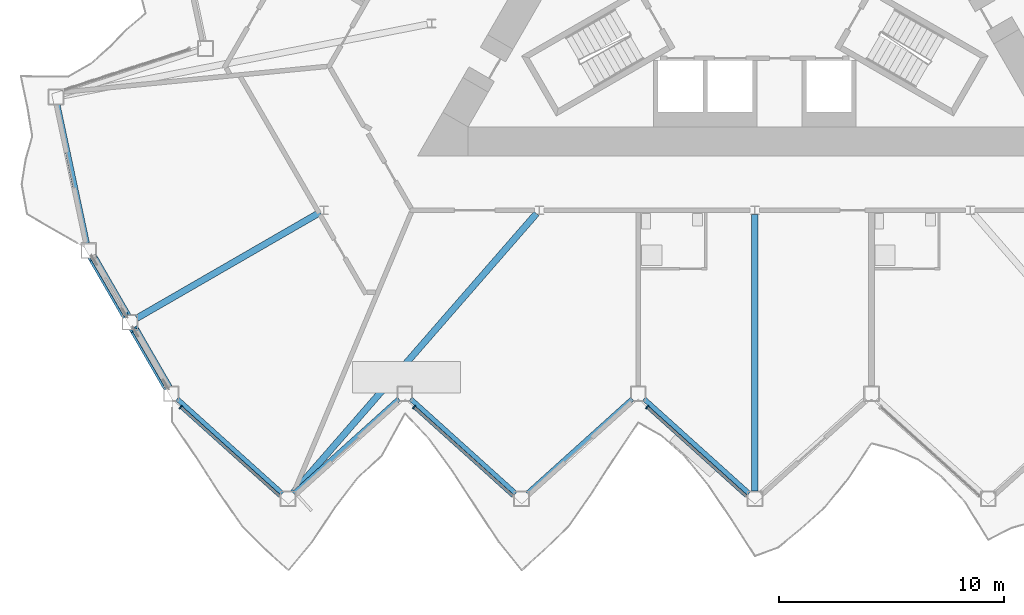
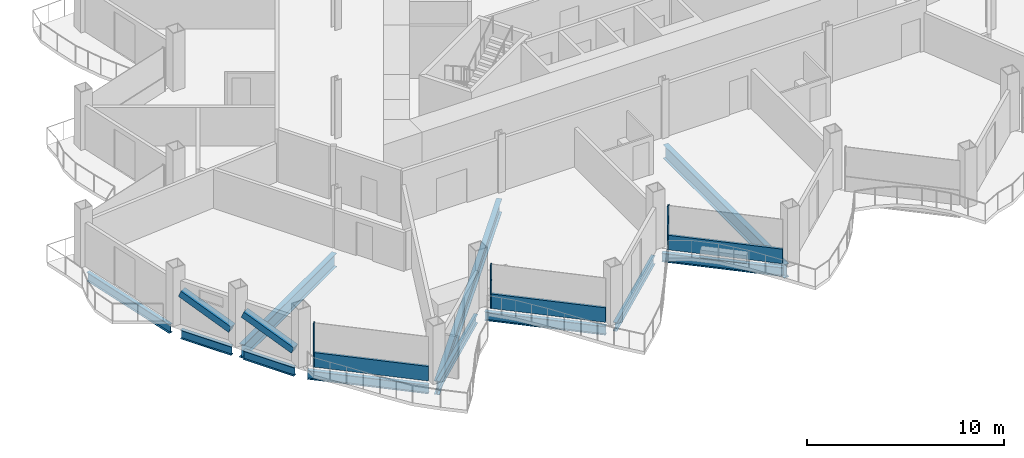
# One storey, part 4 of 23: 11 beams, 8 members, 3 elements without a shape of their own.
"""IFC4 building model written with IfcOpenShell, lengths in metres."""

from ifc_helpers import new_model, si_unit, direction, frame, origin, origin_2d, place, context, subcontext, project, spatial, rectangle, hollow_rectangle, i_section, extrude, material, layer, layer_set, material_profile, profile_set, type_object, element, aggregate, save


model = new_model("IFC4")

# Units and contexts
model_context = context("Model", 3, precision=1e-05, world=origin(), true_north=direction((0.0, 1.0)))
body_context = subcontext(model_context, "Body", "Model", "MODEL_VIEW")
ifc_project = project(units=[si_unit("LENGTHUNIT", "METRE"), si_unit("AREAUNIT", "SQUARE_METRE"), si_unit("VOLUMEUNIT", "CUBIC_METRE"), si_unit("PLANEANGLEUNIT", "RADIAN"), si_unit("MASSUNIT", "GRAM", prefix="KILO")], contexts=[model_context])

# Site, building, storey
site_placement = place(None, origin())
site = spatial("IfcSite", under=ifc_project, at=site_placement, CompositionType="ELEMENT")
building_placement = place(site_placement, origin())
building = spatial("IfcBuilding", under=site, at=building_placement, Name="Cormorant Prow Tower", CompositionType="ELEMENT")
storey_placement = place(building_placement, frame((0.0, 0.0, 267.0)))
storey = spatial("IfcBuildingStorey", under=building, at=storey_placement, Name="L60", CompositionType="ELEMENT", Elevation=267.0)

# Members
ifc_material_1 = material(Name="Structural steel ASTM A500 Gr C", Category="steel")
ifc_material_profile_1 = material_profile(ifc_material_1, hollow_rectangle(XDim=0.406494140625, YDim=0.406494140625, WallThickness=0.01171875, at=origin_2d()), Name="HSS16x16x1/2")
ifc_profile_set_1 = profile_set([ifc_material_profile_1], Name="Structural steel ASTM A500 Gr C")
member_type_1 = type_object("IfcMemberType", Name="Chamfer brace HSS16x16x1/2", PredefinedType="BRACE", material=ifc_profile_set_1)
for number, where, z_axis, x_axis, name in (
    (1, (-27.959228515625, -15.719970703125, 0.74951171875), (-0.462773096913, 0.801606962687, 0.378506721399), (-0.866041729639, -0.499971721724, 0.0), "Chamfer brace BR2 at WSW00 L60"),
    (2, (-26.1240234375, -18.898681640625, 0.74951171875), (-0.462773096913, 0.801606962687, 0.378506721399), (-0.866041729639, -0.499971721724, 0.0), "Chamfer brace BR2 at WSW01 L60"),
):
    element("IfcMember", number, at=place(storey_placement, frame(where, z_axis=z_axis, x_axis=x_axis)), inside=storey, type_object=member_type_1, Name=name, PredefinedType="BRACE", context=body_context, shape_type="SweptSolid", body=[
        extrude(hollow_rectangle(XDim=0.406494140625, YDim=0.406494140625, WallThickness=0.01171875, at=origin_2d()), origin(), (0.0, 0.0, 1.0), 3.17529296875),
    ])

# Curtain wall, member
ifc_material_2 = material(Name="Aluminium 6063-T6", Category="aluminium")
ifc_layer = layer(ifc_material_2, 0.179931640625)
ifc_layer_set = layer_set([ifc_layer], Name="Aluminium 6063-T6")
curtain_wall_type = type_object("IfcCurtainWallType", Name="Hotel unitised curtain wall 180", PredefinedType="NOTDEFINED", material=ifc_layer_set)
curtain_wall_1_placement = place(storey_placement, origin())
curtain_wall_1 = element("IfcCurtainWall", 3, at=curtain_wall_1_placement, inside=storey, type_object=curtain_wall_type, Name="Hotel curtain wall S00", PredefinedType="NOTDEFINED")
ifc_material_3 = material(Name="Aluminium 6063-T6", Category="aluminium")
ifc_material_profile_2 = material_profile(ifc_material_3, rectangle(XDim=0.179931640625, YDim=0.06005859375, at=origin_2d()), Name="Hotel mullion 60x180")
ifc_profile_set_2 = profile_set([ifc_material_profile_2], Name="Aluminium 6063-T6")
member_type_2 = type_object("IfcMemberType", Name="Hotel mullion 60x180", PredefinedType="MULLION", material=ifc_profile_set_2)
member_1_placement = place(storey_placement, frame((-25.518798828125, -19.8115234375, 0.0), z_axis=(0.0, 0.0, 1.0), x_axis=(0.669130572247, 0.743144856192, 0.0)))
member_1 = element("IfcMember", 4, at=member_1_placement, type_object=member_type_2, Name="Hotel mullion S00", PredefinedType="MULLION", context=body_context, shape_type="SweptSolid", body=[
    extrude(rectangle(XDim=0.179931640625, YDim=0.06005859375, at=origin_2d()), origin(), (0.0, 0.0, 1.0), 2.700927734375),
])

curtain_wall_2_placement = place(storey_placement, origin())
curtain_wall_2 = element("IfcCurtainWall", 5, at=curtain_wall_2_placement, inside=storey, type_object=curtain_wall_type, Name="Hotel curtain wall S02", PredefinedType="NOTDEFINED")
member_2_placement = place(storey_placement, frame((-15.1533203125, -19.8115234375, 0.0), z_axis=(0.0, 0.0, 1.0), x_axis=(0.669130500949, 0.743144920389, 0.0)))
member_2 = element("IfcMember", 6, at=member_2_placement, type_object=member_type_2, Name="Hotel mullion S02", PredefinedType="MULLION", context=body_context, shape_type="SweptSolid", body=[
    extrude(rectangle(XDim=0.179931640625, YDim=0.06005859375, at=origin_2d()), origin(), (0.0, 0.0, 1.0), 2.700927734375),
])

curtain_wall_3_placement = place(storey_placement, origin())
curtain_wall_3 = element("IfcCurtainWall", 7, at=curtain_wall_3_placement, inside=storey, type_object=curtain_wall_type, Name="Hotel curtain wall S04", PredefinedType="NOTDEFINED")
member_3_placement = place(storey_placement, frame((-4.7880859375, -19.8115234375, 0.0), z_axis=(0.0, 0.0, 1.0), x_axis=(0.669130572247, 0.743144856192, 0.0)))
member_3 = element("IfcMember", 8, at=member_3_placement, type_object=member_type_2, Name="Hotel mullion S04", PredefinedType="MULLION", context=body_context, shape_type="SweptSolid", body=[
    extrude(rectangle(XDim=0.179931640625, YDim=0.06005859375, at=origin_2d()), origin(), (0.0, 0.0, 1.0), 2.700927734375),
])

# Member
ifc_material_4 = material(Name="Terracotta", Category="masonry")
ifc_material_profile_3 = material_profile(ifc_material_4, rectangle(XDim=0.139892578125, YDim=0.89990234375, at=origin_2d()), Name="Hotel terracotta spandrel rail 140x900")
ifc_profile_set_3 = profile_set([ifc_material_profile_3], Name="Terracotta")
member_type_3 = type_object("IfcMemberType", Name="Hotel terracotta spandrel rail 140x900", PredefinedType="USERDEFINED", material=ifc_profile_set_3)
member_4_placement = place(storey_placement, frame((-25.49658203125, -19.831787109375, 0.449951171875), z_axis=(0.743158607872, -0.669115299142, 0.0), x_axis=(0.669115299142, 0.743158607872, 0.0)))
member_4 = element("IfcMember", 9, at=member_4_placement, type_object=member_type_3, Name="Hotel spandrel rail S00", ObjectType="TRANSOM", PredefinedType="USERDEFINED", context=body_context, shape_type="SweptSolid", body=[
    extrude(rectangle(XDim=0.139892578125, YDim=0.89990234375, at=origin_2d()), origin(), (0.0, 0.0, 1.0), 5.912109375),
])

aggregate(curtain_wall_1, [member_1, member_4])

member_5_placement = place(storey_placement, frame((-15.131103515625, -19.831787109375, 0.449951171875), z_axis=(0.743158607872, -0.669115299142, 0.0), x_axis=(0.669115299142, 0.743158607872, 0.0)))
member_5 = element("IfcMember", 10, at=member_5_placement, type_object=member_type_3, Name="Hotel spandrel rail S02", ObjectType="TRANSOM", PredefinedType="USERDEFINED", context=body_context, shape_type="SweptSolid", body=[
    extrude(rectangle(XDim=0.139892578125, YDim=0.89990234375, at=origin_2d()), origin(), (0.0, 0.0, 1.0), 5.912109375),
])

aggregate(curtain_wall_2, [member_2, member_5])

member_6_placement = place(storey_placement, frame((-4.765869140625, -19.831787109375, 0.449951171875), z_axis=(0.743158607872, -0.669115299142, 0.0), x_axis=(0.669115299142, 0.743158607872, 0.0)))
member_6 = element("IfcMember", 11, at=member_6_placement, type_object=member_type_3, Name="Hotel spandrel rail S04", ObjectType="TRANSOM", PredefinedType="USERDEFINED", context=body_context, shape_type="SweptSolid", body=[
    extrude(rectangle(XDim=0.139892578125, YDim=0.89990234375, at=origin_2d()), origin(), (0.0, 0.0, 1.0), 5.912109375),
])

aggregate(curtain_wall_3, [member_3, member_6])

# Beams
ifc_material_5 = material(Name="Structural steel ASTM A992 Gr 50", Category="steel")
ifc_material_profile_4 = material_profile(ifc_material_5, i_section(OverallWidth=0.29296875, OverallDepth=0.845703125, WebThickness=0.015380859375, FlangeThickness=0.0244140625, at=origin_2d()), Name="W33x141")
ifc_profile_set_4 = profile_set([ifc_material_profile_4], Name="Structural steel ASTM A992 Gr 50")
beam_type_1 = type_object("IfcBeamType", Name="Radial floor beam W33x141", PredefinedType="BEAM", material=ifc_profile_set_4)
beam_1_placement = place(storey_placement, frame((-19.32958984375, -11.159912109375, -0.77294921875), z_axis=(-0.866021726843, -0.500006368596, 0.0), x_axis=(0.500006368596, -0.866021726843, 0.0)))
element("IfcBeam", 12, at=beam_1_placement, inside=storey, type_object=beam_type_1, Name="Radial floor beam FB2 5 L60", PredefinedType="BEAM", context=body_context, shape_type="SweptSolid", body=[
    extrude(i_section(OverallWidth=0.29296875, OverallDepth=0.845703125, WebThickness=0.015380859375, FlangeThickness=0.0244140625, at=origin_2d()), origin(), (0.0, 0.0, 1.0), 9.40380859375),
])
beam_2_placement = place(storey_placement, frame((-9.70947265625, -11.210693359375, -0.77294921875), z_axis=(-0.656874593387, -0.753999846527, 0.0), x_axis=(0.753999846527, -0.656874593387, 0.0)))
element("IfcBeam", 13, at=beam_2_placement, inside=storey, type_object=beam_type_1, Name="Radial floor beam FB2 6 L60", PredefinedType="BEAM", context=body_context, shape_type="SweptSolid", body=[
    extrude(i_section(OverallWidth=0.29296875, OverallDepth=0.845703125, WebThickness=0.015380859375, FlangeThickness=0.0244140625, at=origin_2d()), origin(), (0.0, 0.0, 1.0), 16.4619140625),
])
beam_3_placement = place(storey_placement, frame((0.0, -11.259765625, -0.77294921875), z_axis=(0.0, -1.0, 0.0), x_axis=(1.0, 0.0, 0.0)))
element("IfcBeam", 14, at=beam_3_placement, inside=storey, type_object=beam_type_1, Name="Radial floor beam FB2 7 L60", PredefinedType="BEAM", context=body_context, shape_type="SweptSolid", body=[
    extrude(i_section(OverallWidth=0.29296875, OverallDepth=0.845703125, WebThickness=0.015380859375, FlangeThickness=0.0244140625, at=origin_2d()), origin(), (0.0, 0.0, 1.0), 12.277099609375),
])
ifc_material_6 = material(Name="Structural steel ASTM A992 Gr 50", Category="steel")
ifc_material_profile_5 = material_profile(ifc_material_6, i_section(OverallWidth=0.2138671875, OverallDepth=0.549072265625, WebThickness=0.0146484375, FlangeThickness=0.023681640625, at=origin_2d()), Name="W21x93")
ifc_profile_set_5 = profile_set([ifc_material_profile_5], Name="Structural steel ASTM A992 Gr 50")
beam_type_2 = type_object("IfcBeamType", Name="Spandrel beam W21x93", PredefinedType="SPANDREL", material=ifc_profile_set_5)
for number, where, z_axis, x_axis, name in (
    (15, (-25.68115234375, -19.44970703125, -0.62451171875), (0.743156918576, -0.669117175368, 0.0), (0.669117175368, 0.743156918576, 0.0), "Spandrel beam SB2 S00-S01 L60"),
    (16, (-20.492919921875, -23.65283203125, -0.62451171875), (0.743156918576, 0.669117175368, 0.0), (-0.669117175368, 0.743156918576, 0.0), "Spandrel beam SB2 S01-S02 L60"),
    (17, (-15.3046875, -19.44970703125, -0.62451171875), (0.743156918576, -0.669117175368, 0.0), (0.669117175368, 0.743156918576, 0.0), "Spandrel beam SB2 S02-S03 L60"),
    (18, (-10.116455078125, -23.65283203125, -0.62451171875), (0.743156918576, 0.669117175368, 0.0), (-0.669117175368, 0.743156918576, 0.0), "Spandrel beam SB2 S03-S04 L60"),
    (19, (-4.92822265625, -19.44970703125, -0.62451171875), (0.743156918576, -0.669117175368, 0.0), (0.669117175368, 0.743156918576, 0.0), "Spandrel beam SB2 S04-S05 L60"),
):
    element("IfcBeam", number, at=place(storey_placement, frame(where, z_axis=z_axis, x_axis=x_axis)), inside=storey, type_object=beam_type_2, Name=name, PredefinedType="SPANDREL", context=body_context, shape_type="SweptSolid", body=[
        extrude(i_section(OverallWidth=0.2138671875, OverallDepth=0.549072265625, WebThickness=0.0146484375, FlangeThickness=0.023681640625, at=origin_2d()), origin(), (0.0, 0.0, 1.0), 6.281494140625),
    ])
beam_4_placement = place(storey_placement, frame((-30.990478515625, -6.37158203125, -0.62451171875), z_axis=(0.207941499013, -0.978141264331, 0.0), x_axis=(0.978141264331, 0.207941499013, 0.0)))
element("IfcBeam", 20, at=beam_4_placement, inside=storey, type_object=beam_type_2, Name="Spandrel beam SB2 WNW09-WSW00 L60", PredefinedType="SPANDREL", context=body_context, shape_type="SweptSolid", body=[
    extrude(i_section(OverallWidth=0.2138671875, OverallDepth=0.549072265625, WebThickness=0.0146484375, FlangeThickness=0.023681640625, at=origin_2d()), origin(), (0.0, 0.0, 1.0), 6.28125),
])
for number, where, z_axis, x_axis, name in (
    (21, (-29.4365234375, -13.1611328125, -0.62451171875), (0.499966725515, -0.866044613965, 0.0), (0.866044613965, 0.499966725515, 0.0), "Spandrel beam SB2 WSW00-WSW01 L60"),
    (22, (-27.601318359375, -16.33984375, -0.62451171875), (0.499966725515, -0.866044613965, 0.0), (0.866044613965, 0.499966725515, 0.0), "Spandrel beam SB2 WSW01-S00 L60"),
):
    element("IfcBeam", number, at=place(storey_placement, frame(where, z_axis=z_axis, x_axis=x_axis)), inside=storey, type_object=beam_type_2, Name=name, PredefinedType="SPANDREL", context=body_context, shape_type="SweptSolid", body=[
        extrude(i_section(OverallWidth=0.2138671875, OverallDepth=0.549072265625, WebThickness=0.0146484375, FlangeThickness=0.023681640625, at=origin_2d()), origin(), (0.0, 0.0, 1.0), 2.970458984375),
    ])

save(model, "model.ifc")
